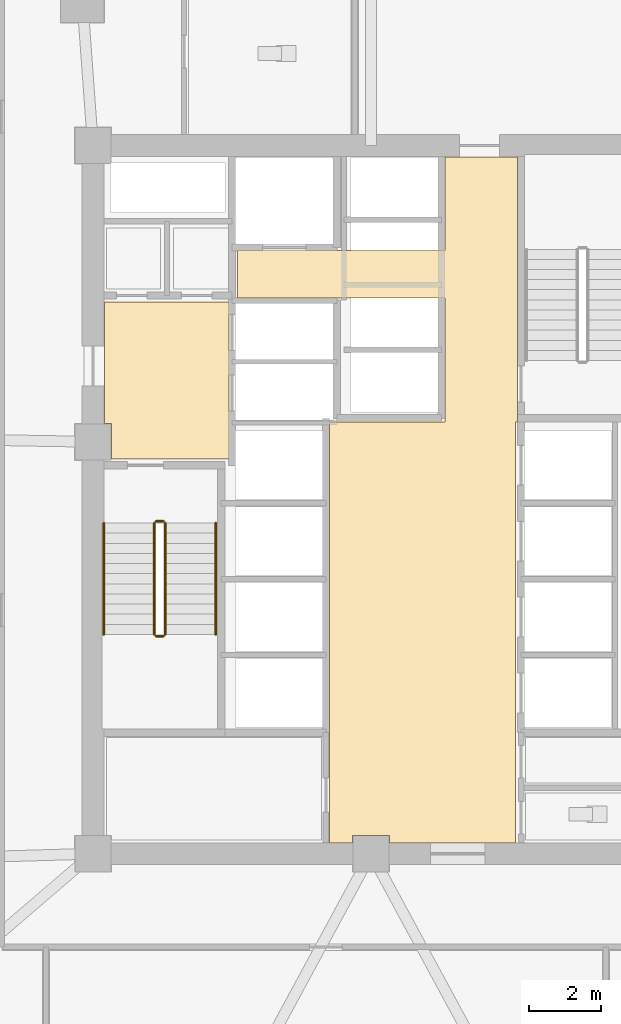
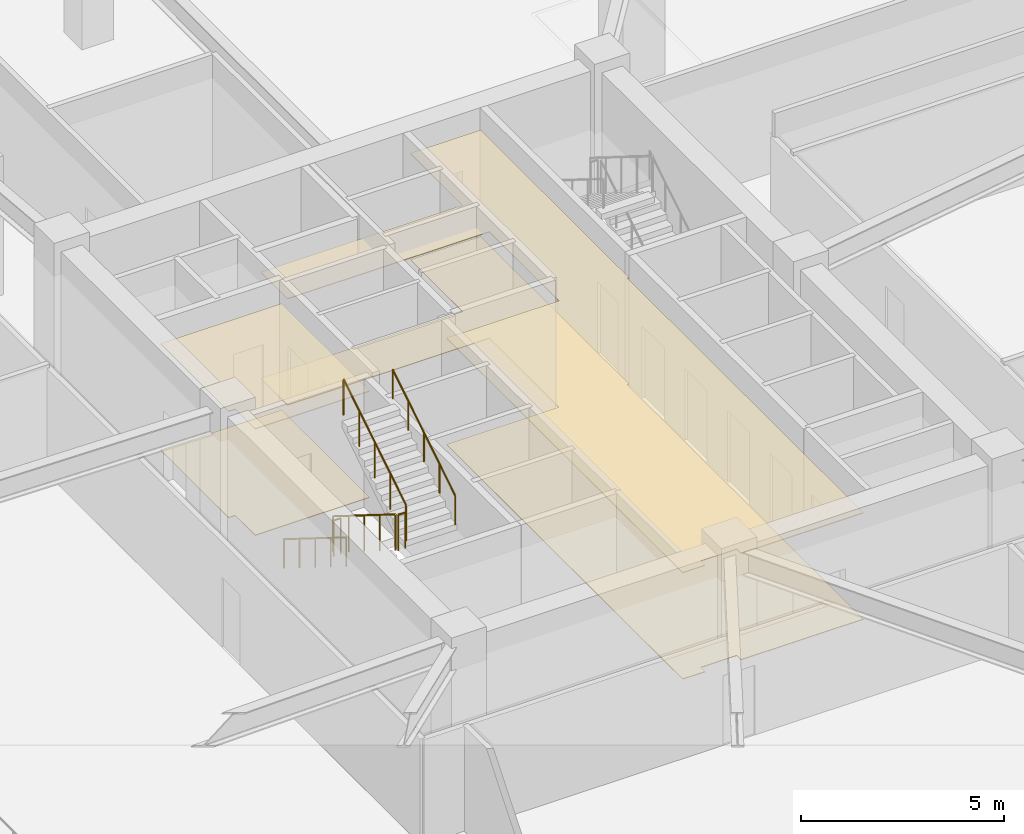
# One storey, part 16 of 22: 6 railings, 4 coverings.
"""IFC4 building model written with IfcOpenShell, lengths in metres."""

import ifcopenshell
import ifcopenshell.guid

model = None  # the IFC model being written
_history = None  # IfcOwnerHistory: only IFC2X3 demands one
_inside = {}  # id of a spatial element -> (the spatial element, [elements in it])
_under = {}  # id of a project, library or spatial element -> (it, [spatial elements below it])
_declared = {}  # id of a project -> (the project, [libraries it declares])
_typed = {}  # id of a type object -> (the type object, [elements of that type])
_made_of = {}  # id of a material, layer set ... -> (it, [elements and type objects made of it])


def new_model(schema):
    """Start an empty IFC model of exactly this schema.

    Asked for "IFC4X3", IfcOpenShell would pick the latest addendum, in which some entities
    have other attributes; the version numbers below select the first issue.
    IFC2X3 requires an IfcOwnerHistory on every rooted entity: one is made here for all.
    """
    global model, _history
    if schema == "IFC4X3":
        model = ifcopenshell.file(schema_version=(4, 3, 0, 0))
    else:
        model = ifcopenshell.file(schema=schema)
    _inside.clear()
    _under.clear()
    _declared.clear()
    _typed.clear()
    _made_of.clear()
    _history = None
    if model.schema == "IFC2X3":
        org = make("IfcOrganization", Name="unknown")
        user = make(
            "IfcPersonAndOrganization",
            ThePerson=make("IfcPerson", FamilyName="unknown"),
            TheOrganization=org,
        )
        app = make(
            "IfcApplication",
            ApplicationDeveloper=org,
            Version="unknown",
            ApplicationFullName="unknown",
            ApplicationIdentifier="unknown",
        )
        _history = make(
            "IfcOwnerHistory",
            OwningUser=user,
            OwningApplication=app,
            ChangeAction="ADDED",
            CreationDate=0,
        )
    return model


def make(cls, **values):
    """One entity of the class cls with the attributes given. An attribute that is None is left unset."""
    return model.create_entity(
        cls, **{name: value for name, value in values.items() if value is not None}
    )


def rooted(cls, **values):
    """An entity with a GlobalId (a new one), such as an element, a storey or a relation."""
    return make(cls, GlobalId=ifcopenshell.guid.new(), OwnerHistory=_history, **values)


def si_unit(unit_type, name, prefix=None):
    """IfcSIUnit, for example si_unit("LENGTHUNIT", "METRE", prefix="MILLI")."""
    return make("IfcSIUnit", UnitType=unit_type, Prefix=prefix, Name=name)


def assignment(units):
    """IfcUnitAssignment: the units of a project."""
    return None if units is None else make("IfcUnitAssignment", Units=units)


def point(xyz):
    """IfcCartesianPoint."""
    return None if xyz is None else make("IfcCartesianPoint", Coordinates=xyz)


def direction(xyz):
    """IfcDirection."""
    return None if xyz is None else make("IfcDirection", DirectionRatios=xyz)


def frame(location, z_axis=None, x_axis=None):
    """IfcAxis2Placement3D, a coordinate frame: its origin and axes. An axis left out is left unset."""
    return make(
        "IfcAxis2Placement3D",
        Location=point(location),
        Axis=direction(z_axis),
        RefDirection=direction(x_axis),
    )


def frame_2d(location, x_axis=None):
    """IfcAxis2Placement2D, a coordinate frame in the plane: its origin and x axis."""
    return make(
        "IfcAxis2Placement2D", Location=point(location), RefDirection=direction(x_axis)
    )


def origin():
    """The frame at (0, 0, 0) with its axes left unset."""
    return frame((0.0, 0.0, 0.0))


def origin_2d():
    """The frame at (0, 0) in the plane with its x axis left unset."""
    return frame_2d((0.0, 0.0))


def place(relative_to, where):
    """IfcLocalPlacement: puts the frame where relative to a parent placement (None: the world)."""
    return make(
        "IfcLocalPlacement", PlacementRelTo=relative_to, RelativePlacement=where
    )


def context(
    kind, dimensions, precision=None, world=None, true_north=None, identifier=None
):
    """IfcGeometricRepresentationContext, for example the 3D "Model" context."""
    return make(
        "IfcGeometricRepresentationContext",
        ContextIdentifier=identifier,
        ContextType=kind,
        CoordinateSpaceDimension=dimensions,
        Precision=precision,
        WorldCoordinateSystem=world,
        TrueNorth=true_north,
    )


def subcontext(parent, identifier, kind, view, scale=None):
    """IfcGeometricRepresentationSubContext, for example "Body" below "Model"."""
    return make(
        "IfcGeometricRepresentationSubContext",
        ContextIdentifier=identifier,
        ContextType=kind,
        ParentContext=parent,
        TargetScale=scale,
        TargetView=view,
    )


def project(units=None, contexts=None):
    """IfcProject with its units and contexts."""
    return rooted(
        "IfcProject",
        Name="project",
        RepresentationContexts=contexts,
        UnitsInContext=assignment(units),
    )


def spatial(cls, under=None, at=None, **own):
    """A site, building, storey or space (cls), placed at a placement, below another one or the project."""
    s = rooted(cls, ObjectPlacement=at, **own)
    if under is not None:
        _under.setdefault(under.id(), (under, []))[1].append(s)
    return s


def polyline(points):
    """IfcPolyline through the points."""
    return make("IfcPolyline", Points=[point(p) for p in points])


def profile(cls, at=None, kind="AREA", **sizes):
    """A parametric profile (cls). Its sizes go by their IFC names, for example OverallWidth=200.0."""
    return make(cls, ProfileType=kind, Position=at, **sizes)


def circle(**sizes):
    """IfcCircleProfileDef."""
    return profile("IfcCircleProfileDef", **sizes)


def outline(outer, holes=None, kind="AREA"):
    """IfcArbitraryClosedProfileDef: a profile drawn as a closed curve; with holes, ...WithVoids."""
    if holes is None:
        return make("IfcArbitraryClosedProfileDef", ProfileType=kind, OuterCurve=outer)
    return make(
        "IfcArbitraryProfileDefWithVoids",
        ProfileType=kind,
        OuterCurve=outer,
        InnerCurves=holes,
    )


def extrude(swept, where, along, depth):
    """IfcExtrudedAreaSolid: the profile swept, set in the frame where, extruded along a direction by depth."""
    return make(
        "IfcExtrudedAreaSolid",
        SweptArea=swept,
        Position=where,
        ExtrudedDirection=direction(along),
        Depth=depth,
    )


def shape(context_of_items, identifier, shape_type, items):
    """IfcShapeRepresentation: the items that make up one representation, for example the "Body"."""
    return make(
        "IfcShapeRepresentation",
        ContextOfItems=context_of_items,
        RepresentationIdentifier=identifier,
        RepresentationType=shape_type,
        Items=items,
    )


def material(Name=None, Category=None):
    """IfcMaterial."""
    return make("IfcMaterial", Name=Name, Category=Category)


def layer(
    of_material, thickness, ventilated=None, Name=None, Category=None, Priority=None
):
    """IfcMaterialLayer: one layer of a wall or slab, of a material (None: an air gap)."""
    return make(
        "IfcMaterialLayer",
        Material=of_material,
        LayerThickness=thickness,
        IsVentilated=ventilated,
        Name=Name,
        Category=Category,
        Priority=Priority,
    )


def layer_set(layers, Name=None):
    """IfcMaterialLayerSet."""
    return make("IfcMaterialLayerSet", MaterialLayers=layers, LayerSetName=Name)


def made_of(thing, what):
    """Note that an element or type object is made of a material, layer set ...; save() writes the relation."""
    if what is not None:
        _made_of.setdefault(what.id(), (what, []))[1].append(thing)
    return thing


def type_object(cls, material=None, **own):
    """A type object (cls), such as IfcWallType, which elements share."""
    return made_of(rooted(cls, **own), material)


def element(
    cls,
    number,
    at=None,
    inside=None,
    cuts=None,
    type_object=None,
    material=None,
    context=None,
    identifier="Body",
    shape_type=None,
    held_by="IfcProductDefinitionShape",
    body=None,
    shapes=None,
    **own,
):
    """One element of the class cls, such as IfcWall. Its Tag is "e" and its number.

    at: its placement. inside: the storey or other place that contains it. cuts: it is an
    opening in that element (IfcRelVoidsElement). A single representation is given by context,
    identifier, shape_type and body (its items); several are given by shapes. held_by: the class
    of the entity that holds the representations. save() writes the other relations.
    """
    e = rooted(cls, Tag="e%d" % number, ObjectPlacement=at, **own)
    if body is not None:
        shapes = [shape(context, identifier, shape_type, body)]
    if shapes is not None:
        e.Representation = make(held_by, Representations=shapes)
    if inside is not None:
        _inside.setdefault(inside.id(), (inside, []))[1].append(e)
    if cuts is not None:
        rooted(
            "IfcRelVoidsElement", RelatingBuildingElement=cuts, RelatedOpeningElement=e
        )
    if type_object is not None:
        _typed.setdefault(type_object.id(), (type_object, []))[1].append(e)
    return made_of(e, material)


def aggregate(whole, parts):
    """IfcRelAggregates: a whole, such as a stair, and the parts it consists of."""
    return rooted("IfcRelAggregates", RelatingObject=whole, RelatedObjects=parts)


def save(model, path):
    """Write the relations noted so far, then the file.

    IfcRelAggregates (storeys below a building ...), IfcRelContainedInSpatialStructure (elements
    in a storey), IfcRelDefinesByType, IfcRelAssociatesMaterial and IfcRelDeclares: one each for
    every whole, place, type object, material and project.
    """
    for whole, parts in _under.values():
        aggregate(whole, parts)
    for where, things in _inside.values():
        rooted(
            "IfcRelContainedInSpatialStructure",
            RelatedElements=things,
            RelatingStructure=where,
        )
    for kind, things in _typed.values():
        rooted("IfcRelDefinesByType", RelatedObjects=things, RelatingType=kind)
    for what, things in _made_of.values():
        rooted("IfcRelAssociatesMaterial", RelatedObjects=things, RelatingMaterial=what)
    for by, libraries in _declared.values():
        rooted("IfcRelDeclares", RelatingContext=by, RelatedDefinitions=libraries)
    model.write(path)


model = new_model("IFC4")

# Units and contexts
model_context = context("Model", 3, precision=1e-05, world=origin(), true_north=direction((0.0, 1.0)))
body_context = subcontext(model_context, "Body", "Model", "MODEL_VIEW")
ifc_project = project(units=[si_unit("LENGTHUNIT", "METRE"), si_unit("AREAUNIT", "SQUARE_METRE"), si_unit("VOLUMEUNIT", "CUBIC_METRE"), si_unit("PLANEANGLEUNIT", "RADIAN"), si_unit("MASSUNIT", "GRAM", prefix="KILO")], contexts=[model_context])

# Site, building, storey
site_placement = place(None, origin())
site = spatial("IfcSite", under=ifc_project, at=site_placement, CompositionType="ELEMENT")
building_placement = place(site_placement, origin())
building = spatial("IfcBuilding", under=site, at=building_placement, Name="Savorim Split Tower", CompositionType="ELEMENT")
storey_placement = place(building_placement, frame((0.0, 0.0, 17.60009765625)))
storey = spatial("IfcBuildingStorey", under=building, at=storey_placement, Name="L04", CompositionType="ELEMENT", Elevation=17.60009765625)

# Coverings
ifc_material_1 = material(Name="Mineral Fibre Acoustic Ceiling")
ifc_layer_1 = layer(ifc_material_1, 0.02490234375)
ifc_layer_set_1 = layer_set([ifc_layer_1], Name="COV-CEIL-25")
covering_type_1 = type_object("IfcCoveringType", Name="COV-CEIL-25", PredefinedType="CEILING", material=ifc_layer_set_1)
covering_1_placement = place(storey_placement, frame((0.0, 0.0, 3.199951171875)))
element("IfcCovering", 1, at=covering_1_placement, inside=storey, type_object=covering_type_1, Name="L04 Firefighting Lift Lobby Acoustic Ceiling", PredefinedType="CEILING", context=body_context, shape_type="SweptSolid", body=[
    extrude(outline(polyline([(-3.929931640625, 5.8701171875), (-7.3798828125, 5.8701171875), (-7.3798828125, 2.510009765625), (-7.18994140625, 2.510009765625), (-7.18994140625, 1.530029296875), (-3.929931640625, 1.530029296875), (-3.929931640625, 5.8701171875)])), origin(), (0.0, 0.0, 1.0), 0.02490234375),
])
covering_2_placement = place(storey_placement, frame((0.0, 0.0, 3.199951171875)))
element("IfcCovering", 2, at=covering_2_placement, inside=storey, type_object=covering_type_1, Name="L04 Lift Lobby Acoustic Ceiling", PredefinedType="CEILING", context=body_context, shape_type="SweptSolid", body=[
    extrude(outline(polyline([(2.050048828125, 2.550048828125), (-1.14990234375, 2.550048828125), (-1.14990234375, -9.10009765625), (-0.510009765625, -9.10009765625), (-0.510009765625, -8.889892578125), (0.510009765625, -8.889892578125), (0.510009765625, -9.10009765625), (4.0, -9.10009765625), (4.0, 2.550048828125), (4.050048828125, 2.550048828125), (4.050048828125, 5.97998046875), (4.050048828125, 7.300048828125), (4.050048828125, 9.8798828125), (2.050048828125, 9.8798828125), (2.050048828125, 7.300048828125), (-3.699951171875, 7.300048828125), (-3.699951171875, 5.97998046875), (2.050048828125, 5.97998046875), (2.050048828125, 2.550048828125)])), origin(), (0.0, 0.0, 1.0), 0.02490234375),
])
ifc_material_2 = material(Name="Porcelain Stoneware Flooring", Category="masonry")
ifc_layer_2 = layer(ifc_material_2, 0.02001953125)
ifc_layer_set_2 = layer_set([ifc_layer_2], Name="COV-FLOR-20")
covering_type_2 = type_object("IfcCoveringType", Name="COV-FLOR-20", PredefinedType="FLOORING", material=ifc_layer_set_2)
covering_3_placement = place(storey_placement, origin())
element("IfcCovering", 3, at=covering_3_placement, inside=storey, type_object=covering_type_2, Name="L04 Firefighting Lift Lobby Porcelain Flooring", PredefinedType="FLOORING", context=body_context, shape_type="SweptSolid", body=[
    extrude(outline(polyline([(-3.929931640625, 5.8701171875), (-7.3798828125, 5.8701171875), (-7.3798828125, 2.510009765625), (-7.18994140625, 2.510009765625), (-7.18994140625, 1.530029296875), (-3.929931640625, 1.530029296875), (-3.929931640625, 5.8701171875)])), origin(), (0.0, 0.0, 1.0), 0.02001953125),
])
covering_4_placement = place(storey_placement, origin())
element("IfcCovering", 4, at=covering_4_placement, inside=storey, type_object=covering_type_2, Name="L04 Lift Lobby Porcelain Flooring", PredefinedType="FLOORING", context=body_context, shape_type="SweptSolid", body=[
    extrude(outline(polyline([(2.050048828125, 2.550048828125), (-1.14990234375, 2.550048828125), (-1.14990234375, -9.10009765625), (-0.510009765625, -9.10009765625), (-0.510009765625, -8.889892578125), (0.510009765625, -8.889892578125), (0.510009765625, -9.10009765625), (4.0, -9.10009765625), (4.0, 2.550048828125), (4.050048828125, 2.550048828125), (4.050048828125, 5.97998046875), (4.050048828125, 7.300048828125), (4.050048828125, 9.8798828125), (2.050048828125, 9.8798828125), (2.050048828125, 7.300048828125), (-3.699951171875, 7.300048828125), (-3.699951171875, 5.97998046875), (2.050048828125, 5.97998046875), (2.050048828125, 2.550048828125)])), origin(), (0.0, 0.0, 1.0), 0.02001953125),
])

# Railings
ifc_material_3 = material(Name="Galvanised Painted Steel Balustrade", Category="steel")
railing_type_1 = type_object("IfcRailingType", Name="RLG-HR-900", PredefinedType="HANDRAIL", material=ifc_material_3)
railing_1_placement = place(storey_placement, frame((-7.39990234375, -0.25, 0.1748046875)))
element("IfcRailing", 5, at=railing_1_placement, inside=storey, type_object=railing_type_1, Name="L04 ST-1 stair handrail 1", PredefinedType="HANDRAIL", context=body_context, shape_type="SweptSolid", body=[
    extrude(circle(Radius=0.02392578125, at=origin_2d()), frame((0.0, 0.0, 0.8759765625), z_axis=(0.0, -0.847998304005, 0.529998940003), x_axis=(1.0, 0.0, 0.0)), (0.0, 0.0, 1.0), 3.632080078125),
    extrude(circle(Radius=0.02099609375, at=origin_2d()), origin(), (0.0, 0.0, 1.0), 0.851806640625),
    extrude(circle(Radius=0.02099609375, at=origin_2d()), frame((0.0, -0.77001953125, 0.481201171875)), (0.0, 0.0, 1.0), 0.851806640625),
    extrude(circle(Radius=0.02099609375, at=origin_2d()), frame((0.0, -1.5400390625, 0.96240234375)), (0.0, 0.0, 1.0), 0.851806640625),
    extrude(circle(Radius=0.02099609375, at=origin_2d()), frame((0.0, -2.31005859375, 1.44384765625)), (0.0, 0.0, 1.0), 0.851806640625),
    extrude(circle(Radius=0.02099609375, at=origin_2d()), frame((0.0, -3.080078125, 1.925048828125)), (0.0, 0.0, 1.0), 0.851806640625),
])
railing_2_placement = place(storey_placement, frame((-4.300048828125, -3.330078125, 2.27490234375)))
element("IfcRailing", 6, at=railing_2_placement, inside=storey, type_object=railing_type_1, Name="L04 ST-1 stair handrail 2", PredefinedType="HANDRAIL", context=body_context, shape_type="SweptSolid", body=[
    extrude(circle(Radius=0.02392578125, at=origin_2d()), frame((0.0, 0.0, 0.8759765625), z_axis=(0.0, 0.847998304005, 0.529998940003), x_axis=(-1.0, 0.0, 0.0)), (0.0, 0.0, 1.0), 3.632080078125),
    extrude(circle(Radius=0.02099609375, at=origin_2d()), origin(), (0.0, 0.0, 1.0), 0.851806640625),
    extrude(circle(Radius=0.02099609375, at=origin_2d()), frame((0.0, 0.77001953125, 0.481201171875)), (0.0, 0.0, 1.0), 0.851806640625),
    extrude(circle(Radius=0.02099609375, at=origin_2d()), frame((0.0, 1.5400390625, 0.96240234375)), (0.0, 0.0, 1.0), 0.851806640625),
    extrude(circle(Radius=0.02099609375, at=origin_2d()), frame((0.0, 2.31005859375, 1.44384765625)), (0.0, 0.0, 1.0), 0.851806640625),
    extrude(circle(Radius=0.02099609375, at=origin_2d()), frame((0.0, 3.080078125, 1.925048828125)), (0.0, 0.0, 1.0), 0.851806640625),
])
railing_type_2 = type_object("IfcRailingType", Name="RLG-STG-1100", PredefinedType="BALUSTRADE", material=ifc_material_3)
railing_3_placement = place(storey_placement, frame((-6.0, -0.25, 0.1748046875)))
element("IfcRailing", 7, at=railing_3_placement, inside=storey, type_object=railing_type_2, Name="L04 ST-1 stair guard 1", PredefinedType="BALUSTRADE", context=body_context, shape_type="SweptSolid", body=[
    extrude(circle(Radius=0.02392578125, at=origin_2d()), frame((0.0, 0.0, 1.076171875), z_axis=(0.0, -0.847998304005, 0.529998940003), x_axis=(1.0, 0.0, 0.0)), (0.0, 0.0, 1.0), 3.632080078125),
    extrude(circle(Radius=0.02099609375, at=origin_2d()), origin(), (0.0, 0.0, 1.0), 1.052001953125),
    extrude(circle(Radius=0.02099609375, at=origin_2d()), frame((0.0, -0.77001953125, 0.481201171875)), (0.0, 0.0, 1.0), 1.052001953125),
    extrude(circle(Radius=0.02099609375, at=origin_2d()), frame((0.0, -1.5400390625, 0.96240234375)), (0.0, 0.0, 1.0), 1.052001953125),
    extrude(circle(Radius=0.02099609375, at=origin_2d()), frame((0.0, -2.31005859375, 1.44384765625)), (0.0, 0.0, 1.0), 1.052001953125),
    extrude(circle(Radius=0.02099609375, at=origin_2d()), frame((0.0, -3.080078125, 1.925048828125)), (0.0, 0.0, 1.0), 1.052001953125),
])
railing_4_placement = place(storey_placement, frame((-5.949951171875, -3.3798828125, 2.099853515625)))
element("IfcRailing", 8, at=railing_4_placement, inside=storey, type_object=railing_type_2, Name="L04 ST-1 stair guard 2", PredefinedType="BALUSTRADE", context=body_context, shape_type="SweptSolid", body=[
    extrude(circle(Radius=0.02392578125, at=origin_2d()), frame((0.0, 0.0, 1.076171875), z_axis=(1.0, 0.0, 0.0), x_axis=(0.0, 1.0, 0.0)), (0.0, 0.0, 1.0), 0.199951171875),
    extrude(circle(Radius=0.02099609375, at=origin_2d()), origin(), (0.0, 0.0, 1.0), 1.052001953125),
    extrude(circle(Radius=0.02099609375, at=origin_2d()), frame((0.199951171875, 0.0, 0.0)), (0.0, 0.0, 1.0), 1.052001953125),
])
railing_5_placement = place(storey_placement, frame((-5.699951171875, -3.330078125, 2.27490234375)))
element("IfcRailing", 9, at=railing_5_placement, inside=storey, type_object=railing_type_2, Name="L04 ST-1 stair guard 3", PredefinedType="BALUSTRADE", context=body_context, shape_type="SweptSolid", body=[
    extrude(circle(Radius=0.02392578125, at=origin_2d()), frame((0.0, 0.0, 1.076171875), z_axis=(0.0, 0.847998304005, 0.529998940003), x_axis=(-1.0, 0.0, 0.0)), (0.0, 0.0, 1.0), 3.632080078125),
    extrude(circle(Radius=0.02099609375, at=origin_2d()), origin(), (0.0, 0.0, 1.0), 1.052001953125),
    extrude(circle(Radius=0.02099609375, at=origin_2d()), frame((0.0, 0.77001953125, 0.481201171875)), (0.0, 0.0, 1.0), 1.052001953125),
    extrude(circle(Radius=0.02099609375, at=origin_2d()), frame((0.0, 1.5400390625, 0.96240234375)), (0.0, 0.0, 1.0), 1.052001953125),
    extrude(circle(Radius=0.02099609375, at=origin_2d()), frame((0.0, 2.31005859375, 1.44384765625)), (0.0, 0.0, 1.0), 1.052001953125),
    extrude(circle(Radius=0.02099609375, at=origin_2d()), frame((0.0, 3.080078125, 1.925048828125)), (0.0, 0.0, 1.0), 1.052001953125),
])
railing_6_placement = place(storey_placement, frame((-5.949951171875, -0.199951171875, 0.0)))
element("IfcRailing", 10, at=railing_6_placement, inside=storey, type_object=railing_type_2, Name="L04 ST-1 stair guard 4", PredefinedType="BALUSTRADE", context=body_context, shape_type="SweptSolid", body=[
    extrude(circle(Radius=0.02392578125, at=origin_2d()), frame((0.0, 0.0, 1.076171875), z_axis=(1.0, 0.0, 0.0), x_axis=(0.0, 1.0, 0.0)), (0.0, 0.0, 1.0), 0.199951171875),
    extrude(circle(Radius=0.02099609375, at=origin_2d()), origin(), (0.0, 0.0, 1.0), 1.052001953125),
    extrude(circle(Radius=0.02099609375, at=origin_2d()), frame((0.199951171875, 0.0, 0.0)), (0.0, 0.0, 1.0), 1.052001953125),
])

save(model, "model.ifc")
